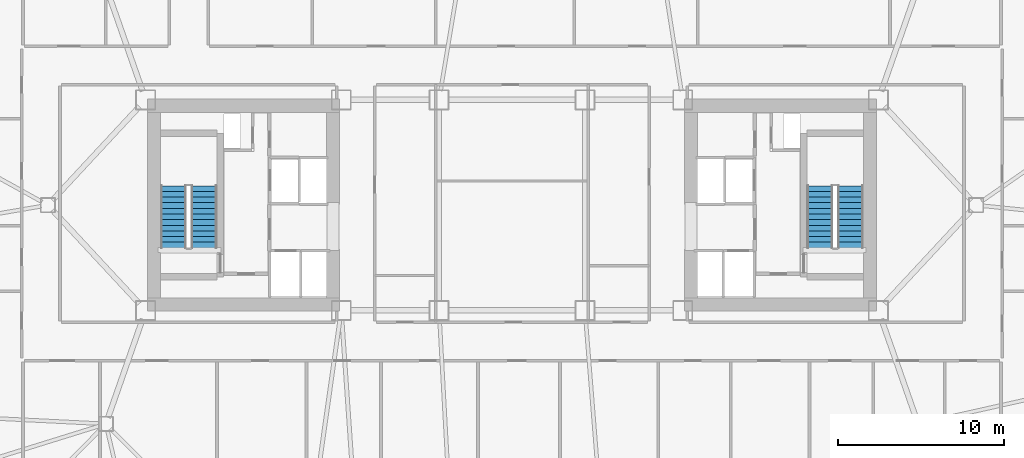
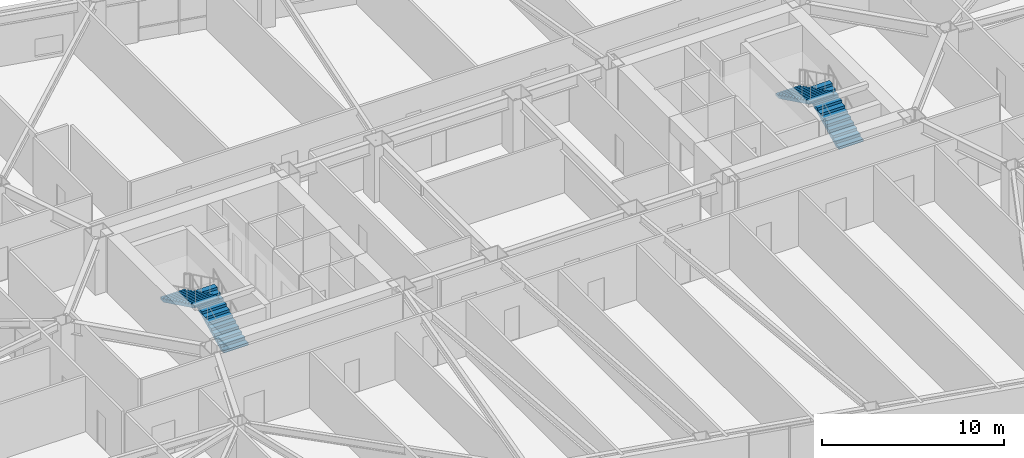
# One storey, part 17 of 22: 4 stair flights, 2 elements without a shape of their own.
"""IFC4 building model written with IfcOpenShell, lengths in metres."""

from ifc_helpers import new_model, si_unit, direction, frame, origin, place, context, subcontext, project, spatial, polyline, outline, extrude, material, type_object, element, aggregate, save


model = new_model("IFC4")

# Units and contexts
model_context = context("Model", 3, precision=1e-05, world=origin(), true_north=direction((0.0, 1.0)))
body_context = subcontext(model_context, "Body", "Model", "MODEL_VIEW")
ifc_project = project(units=[si_unit("LENGTHUNIT", "METRE"), si_unit("AREAUNIT", "SQUARE_METRE"), si_unit("VOLUMEUNIT", "CUBIC_METRE"), si_unit("PLANEANGLEUNIT", "RADIAN"), si_unit("MASSUNIT", "GRAM", prefix="KILO")], contexts=[model_context])

# Site, building, storey
site_placement = place(None, origin())
site = spatial("IfcSite", under=ifc_project, at=site_placement, CompositionType="ELEMENT")
building_placement = place(site_placement, origin())
building = spatial("IfcBuilding", under=site, at=building_placement, Name="Tavrogorsk Clinical Tower", CompositionType="ELEMENT")
storey_placement = place(building_placement, frame((0.0, 0.0, 55.39990234375)))
storey = spatial("IfcBuildingStorey", under=building, at=storey_placement, Name="L11", CompositionType="ELEMENT", Elevation=55.39990234375)

# Stair, stair flights
ifc_material_1 = material(Name="Concrete B60", Category="concrete")
stair_type = type_object("IfcStairType", Name="CoreStairAssembly", PredefinedType="HALF_TURN_STAIR", material=ifc_material_1)
stair_1_placement = place(storey_placement, origin())
stair_1 = element("IfcStair", 1, at=stair_1_placement, inside=storey, type_object=stair_type, Name="L11 ST-W", PredefinedType="HALF_TURN_STAIR")
ifc_material_2 = material(Name="Concrete B60", Category="concrete")
stair_flight_type = type_object("IfcStairFlightType", Name="CoreStairFlight", PredefinedType="STRAIGHT", material=ifc_material_2)
stair_flight_1_placement = place(storey_placement, frame((-18.574951171875, -2.574951171875, 0.0), z_axis=(0.0, 0.0, 1.0), x_axis=(0.0, 1.0, 0.0)))
stair_flight_1 = element("IfcStairFlight", 2, at=stair_flight_1_placement, type_object=stair_flight_type, Name="ST-W flight 1", NumberOfRisers=12, NumberOfTreads=11, PredefinedType="STRAIGHT", RiserHeight=0.166666667, TreadLength=0.34, context=body_context, shape_type="SweptSolid", body=[
    extrude(outline(polyline([(0.0, 0.0), (0.0, 0.166748046875), (0.340087890625, 0.166748046875), (0.340087890625, 0.333251953125), (0.679931640625, 0.333251953125), (0.679931640625, 0.5), (1.02001953125, 0.5), (1.02001953125, 0.666748046875), (1.360107421875, 0.666748046875), (1.360107421875, 0.833251953125), (1.699951171875, 0.833251953125), (1.699951171875, 1.0), (2.0400390625, 1.0), (2.0400390625, 1.166748046875), (2.3798828125, 1.166748046875), (2.3798828125, 1.333251953125), (2.719970703125, 1.333251953125), (2.719970703125, 1.5), (3.06005859375, 1.5), (3.06005859375, 1.666748046875), (3.39990234375, 1.666748046875), (3.39990234375, 1.833251953125), (3.739990234375, 1.833251953125), (3.739990234375, 2.0), (3.739990234375, 1.66650390625), (0.340576171875, 0.0), (0.0, 0.0)])), frame((0.0, 0.77490234375, 0.0), z_axis=(0.0, -1.0, 0.0), x_axis=(1.0, 0.0, 0.0)), (0.0, 0.0, 1.0), 1.550048828125),
])
stair_flight_2_placement = place(storey_placement, frame((-20.425048828125, 1.1650390625, 2.0), z_axis=(0.0, 0.0, 1.0), x_axis=(0.0, -1.0, 0.0)))
stair_flight_2 = element("IfcStairFlight", 3, at=stair_flight_2_placement, type_object=stair_flight_type, Name="ST-W flight 2", NumberOfRisers=12, NumberOfTreads=11, PredefinedType="STRAIGHT", RiserHeight=0.166666667, TreadLength=0.34, context=body_context, shape_type="SweptSolid", body=[
    extrude(outline(polyline([(0.0, 0.0), (0.0, 0.166748046875), (0.340087890625, 0.166748046875), (0.340087890625, 0.333251953125), (0.679931640625, 0.333251953125), (0.679931640625, 0.5), (1.02001953125, 0.5), (1.02001953125, 0.666748046875), (1.360107421875, 0.666748046875), (1.360107421875, 0.833251953125), (1.699951171875, 0.833251953125), (1.699951171875, 1.0), (2.0400390625, 1.0), (2.0400390625, 1.166748046875), (2.3798828125, 1.166748046875), (2.3798828125, 1.333251953125), (2.719970703125, 1.333251953125), (2.719970703125, 1.5), (3.06005859375, 1.5), (3.06005859375, 1.666748046875), (3.39990234375, 1.666748046875), (3.39990234375, 1.833251953125), (3.739990234375, 1.833251953125), (3.739990234375, 2.0), (3.739990234375, 1.66650390625), (0.340576171875, 0.0), (0.0, 0.0)])), frame((0.0, 0.77490234375, 0.0), z_axis=(0.0, -1.0, 0.0), x_axis=(1.0, 0.0, 0.0)), (0.0, 0.0, 1.0), 1.550048828125),
])
aggregate(stair_1, [stair_flight_1, stair_flight_2])

stair_2_placement = place(storey_placement, origin())
stair_2 = element("IfcStair", 4, at=stair_2_placement, inside=storey, type_object=stair_type, Name="L11 ST-E", PredefinedType="HALF_TURN_STAIR")
stair_flight_3_placement = place(storey_placement, frame((20.425048828125, -2.574951171875, 0.0), z_axis=(0.0, 0.0, 1.0), x_axis=(0.0, 1.0, 0.0)))
stair_flight_3 = element("IfcStairFlight", 5, at=stair_flight_3_placement, type_object=stair_flight_type, Name="ST-E flight 1", NumberOfRisers=12, NumberOfTreads=11, PredefinedType="STRAIGHT", RiserHeight=0.166666667, TreadLength=0.34, context=body_context, shape_type="SweptSolid", body=[
    extrude(outline(polyline([(0.0, 0.0), (0.0, 0.166748046875), (0.340087890625, 0.166748046875), (0.340087890625, 0.333251953125), (0.679931640625, 0.333251953125), (0.679931640625, 0.5), (1.02001953125, 0.5), (1.02001953125, 0.666748046875), (1.360107421875, 0.666748046875), (1.360107421875, 0.833251953125), (1.699951171875, 0.833251953125), (1.699951171875, 1.0), (2.0400390625, 1.0), (2.0400390625, 1.166748046875), (2.3798828125, 1.166748046875), (2.3798828125, 1.333251953125), (2.719970703125, 1.333251953125), (2.719970703125, 1.5), (3.06005859375, 1.5), (3.06005859375, 1.666748046875), (3.39990234375, 1.666748046875), (3.39990234375, 1.833251953125), (3.739990234375, 1.833251953125), (3.739990234375, 2.0), (3.739990234375, 1.66650390625), (0.340576171875, 0.0), (0.0, 0.0)])), frame((0.0, 0.77490234375, 0.0), z_axis=(0.0, -1.0, 0.0), x_axis=(1.0, 0.0, 0.0)), (0.0, 0.0, 1.0), 1.550048828125),
])
stair_flight_4_placement = place(storey_placement, frame((18.574951171875, 1.1650390625, 2.0), z_axis=(0.0, 0.0, 1.0), x_axis=(0.0, -1.0, 0.0)))
stair_flight_4 = element("IfcStairFlight", 6, at=stair_flight_4_placement, type_object=stair_flight_type, Name="ST-E flight 2", NumberOfRisers=12, NumberOfTreads=11, PredefinedType="STRAIGHT", RiserHeight=0.166666667, TreadLength=0.34, context=body_context, shape_type="SweptSolid", body=[
    extrude(outline(polyline([(0.0, 0.0), (0.0, 0.166748046875), (0.340087890625, 0.166748046875), (0.340087890625, 0.333251953125), (0.679931640625, 0.333251953125), (0.679931640625, 0.5), (1.02001953125, 0.5), (1.02001953125, 0.666748046875), (1.360107421875, 0.666748046875), (1.360107421875, 0.833251953125), (1.699951171875, 0.833251953125), (1.699951171875, 1.0), (2.0400390625, 1.0), (2.0400390625, 1.166748046875), (2.3798828125, 1.166748046875), (2.3798828125, 1.333251953125), (2.719970703125, 1.333251953125), (2.719970703125, 1.5), (3.06005859375, 1.5), (3.06005859375, 1.666748046875), (3.39990234375, 1.666748046875), (3.39990234375, 1.833251953125), (3.739990234375, 1.833251953125), (3.739990234375, 2.0), (3.739990234375, 1.66650390625), (0.340576171875, 0.0), (0.0, 0.0)])), frame((0.0, 0.77490234375, 0.0), z_axis=(0.0, -1.0, 0.0), x_axis=(1.0, 0.0, 0.0)), (0.0, 0.0, 1.0), 1.550048828125),
])
aggregate(stair_2, [stair_flight_3, stair_flight_4])

save(model, "model.ifc")
